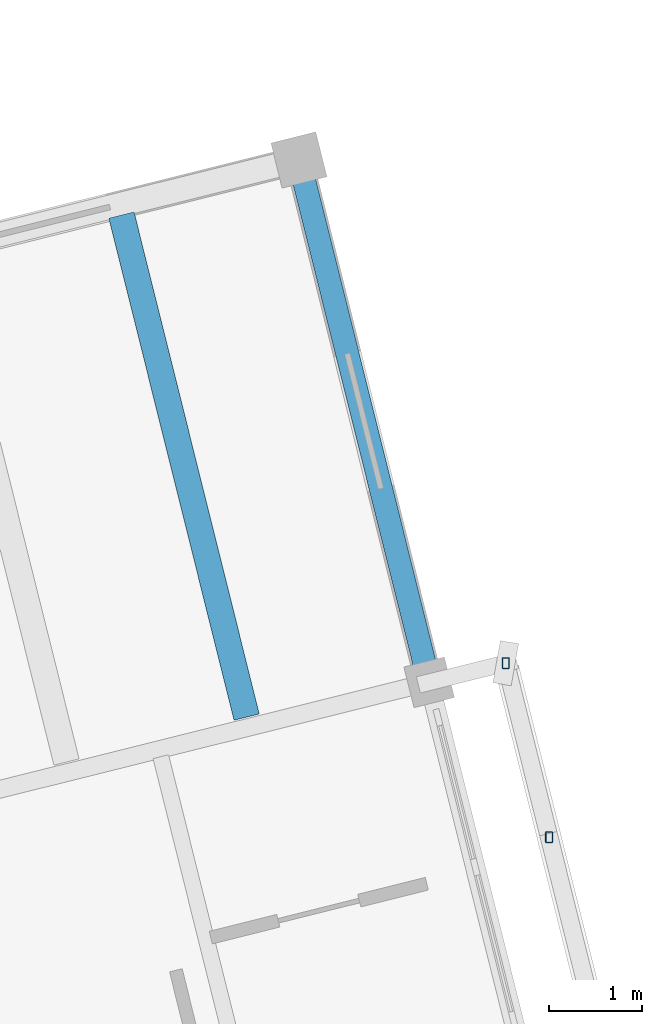
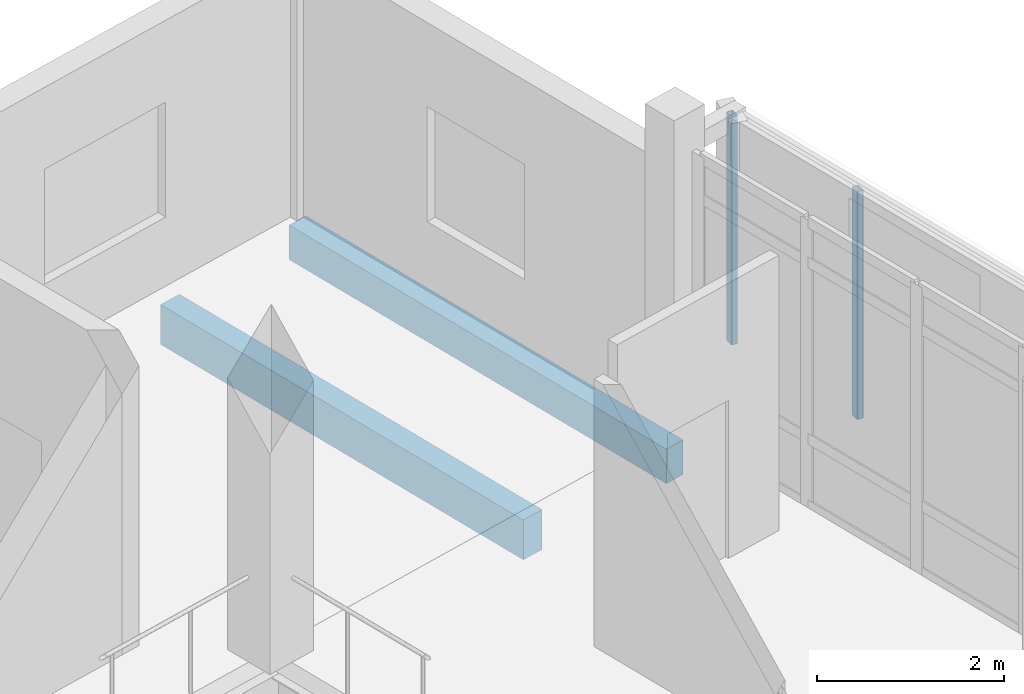
# One storey, part 42 of 137: 2 beams, 2 members.
"""IFC4 building model written with IfcOpenShell, lengths in metres."""

from ifc_helpers import new_model, si_unit, direction, frame, origin, origin_2d, place, context, subcontext, project, spatial, rectangle, hollow_rectangle, extrude, material, material_profile, profile_set, type_object, element, save


model = new_model("IFC4")

# Units and contexts
model_context = context("Model", 3, precision=1e-05, world=origin(), true_north=direction((0.0, 1.0)))
body_context = subcontext(model_context, "Body", "Model", "MODEL_VIEW")
ifc_project = project(units=[si_unit("LENGTHUNIT", "METRE"), si_unit("AREAUNIT", "SQUARE_METRE"), si_unit("VOLUMEUNIT", "CUBIC_METRE"), si_unit("PLANEANGLEUNIT", "RADIAN"), si_unit("MASSUNIT", "GRAM", prefix="KILO")], contexts=[model_context])

# Site, building, storey
site_placement = place(None, origin())
site = spatial("IfcSite", under=ifc_project, at=site_placement, CompositionType="ELEMENT")
building_placement = place(site_placement, origin())
building = spatial("IfcBuilding", under=site, at=building_placement, Name="Cinderway Yard Community Centre", CompositionType="ELEMENT")
storey_placement = place(building_placement, frame((0.0, 0.0, 4.800048828125)))
storey = spatial("IfcBuildingStorey", under=building, at=storey_placement, Name="L01", CompositionType="ELEMENT", Elevation=4.800048828125)

# Members
ifc_material_1 = material(Name="Steel S355", Category="steel")
ifc_material_profile_1 = material_profile(ifc_material_1, hollow_rectangle(XDim=0.080078125, YDim=0.1201171875, WallThickness=0.00634765625, InnerFilletRadius=0.00634765625, OuterFilletRadius=0.0126953125, at=origin_2d()), Name="Steel S355")
ifc_profile_set_1 = profile_set([ifc_material_profile_1], Name="Steel S355")
member_type = type_object("IfcMemberType", Name="ENV-MEM-SCREEN-RAIL-120", PredefinedType="STRINGER", material=ifc_profile_set_1)
for number, where, z_axis, x_axis, name in (
    (1, (44.27001953125, 71.06591796875, 0.68994140625), (0.0, 0.0, 1.0), (1.0, 0.0, 0.0), "Screen vertical mullion 0823"),
    (2, (43.802001953125, 72.94189453125, 0.68994140625), (0.0, 0.0, 1.0), (1.0, 0.0, 0.0), "Screen vertical mullion 0824"),
):
    element("IfcMember", number, at=place(storey_placement, frame(where, z_axis=z_axis, x_axis=x_axis)), inside=storey, type_object=member_type, Name=name, PredefinedType="STRINGER", context=body_context, shape_type="SweptSolid", body=[
        extrude(hollow_rectangle(XDim=0.080078125, YDim=0.1201171875, WallThickness=0.00634765625, InnerFilletRadius=0.00634765625, OuterFilletRadius=0.0126953125, at=origin_2d()), origin(), (0.0, 0.0, 1.0), 2.969970703125),
    ])

# Beams
ifc_material_2 = material(Name="Concrete C40/50", Category="concrete")
ifc_material_profile_2 = material_profile(ifc_material_2, rectangle(XDim=0.25, YDim=0.449951171875, at=origin_2d()), Name="Concrete C40/50")
ifc_profile_set_2 = profile_set([ifc_material_profile_2], Name="Concrete C40/50")
beam_type_1 = type_object("IfcBeamType", Name="STR-BM-RC250X450", PredefinedType="SPANDREL", material=ifc_profile_set_2)
beam_1_placement = place(storey_placement, frame((42.97705078125, 72.736083984375, -0.465087890625), z_axis=(-0.2419017199, 0.97030075642, 0.0), x_axis=(-0.97030075642, -0.2419017199, 0.0)))
element("IfcBeam", 3, at=beam_1_placement, inside=storey, type_object=beam_type_1, Name="Transverse girder STR-BM-L01-SP02-0055", PredefinedType="SPANDREL", context=body_context, shape_type="SweptSolid", body=[
    extrude(rectangle(XDim=0.25, YDim=0.449951171875, at=origin_2d()), origin(), (0.0, 0.0, 1.0), 5.80029296875),
])
ifc_material_3 = material(Name="Concrete C35/45", Category="concrete")
ifc_material_profile_3 = material_profile(ifc_material_3, rectangle(XDim=0.280029296875, YDim=0.52001953125, at=origin_2d()), Name="Concrete C35/45")
ifc_profile_set_3 = profile_set([ifc_material_profile_3], Name="Concrete C35/45")
beam_type_2 = type_object("IfcBeamType", Name="STR-BM-RC280X520", PredefinedType="JOIST", material=ifc_profile_set_3)
beam_2_placement = place(storey_placement, frame((41.010009765625, 72.361083984375, -0.5), z_axis=(-0.241968923775, 0.970283999624, 0.0), x_axis=(-0.970283999624, -0.241968923775, 0.0)))
element("IfcBeam", 4, at=beam_2_placement, inside=storey, type_object=beam_type_2, Name="Secondary joist STR-BM-L01-BJ04-0062", PredefinedType="JOIST", context=body_context, shape_type="SweptSolid", body=[
    extrude(rectangle(XDim=0.280029296875, YDim=0.52001953125, at=origin_2d()), origin(), (0.0, 0.0, 1.0), 5.57568359375),
])

save(model, "model.ifc")
